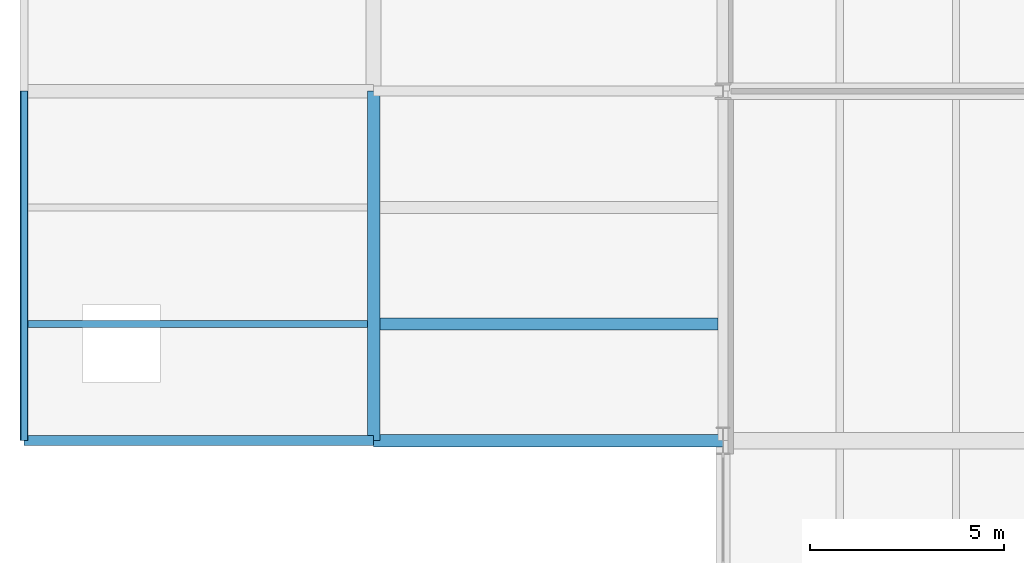
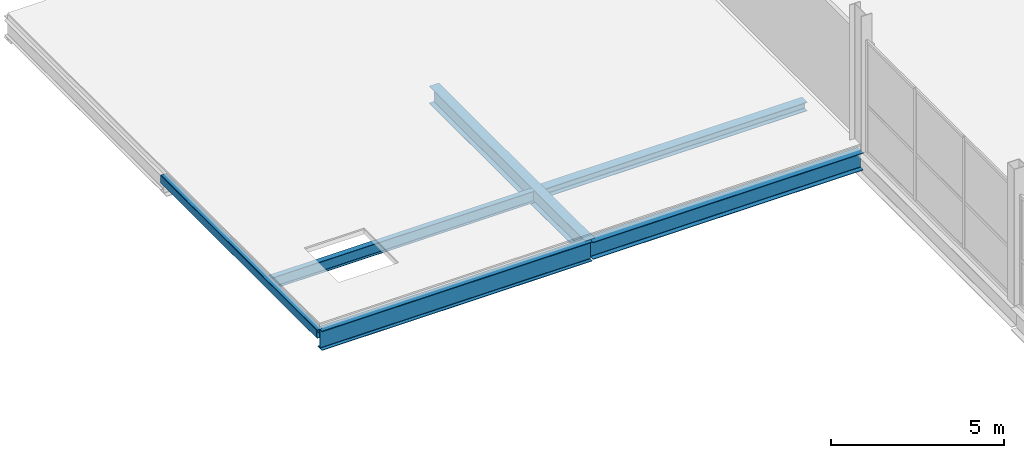
# One storey, part 7 of 50: 6 beams.
"""IFC4 building model written with IfcOpenShell, lengths in metres."""

from ifc_helpers import new_model, si_unit, direction, frame, origin, origin_2d, place, context, subcontext, project, spatial, hollow_rectangle, i_section, extrude, material, material_profile, profile_set, type_object, element, save


model = new_model("IFC4")

# Units and contexts
model_context = context("Model", 3, precision=1e-05, world=origin(), true_north=direction((0.0, 1.0)))
body_context = subcontext(model_context, "Body", "Model", "MODEL_VIEW")
ifc_project = project(units=[si_unit("LENGTHUNIT", "METRE"), si_unit("AREAUNIT", "SQUARE_METRE"), si_unit("VOLUMEUNIT", "CUBIC_METRE"), si_unit("PLANEANGLEUNIT", "RADIAN"), si_unit("MASSUNIT", "GRAM", prefix="KILO")], contexts=[model_context])

# Site, building, storey
site_placement = place(None, origin())
site = spatial("IfcSite", under=ifc_project, at=site_placement, CompositionType="ELEMENT")
building_placement = place(site_placement, origin())
building = spatial("IfcBuilding", under=site, at=building_placement, Name="Qamarlyn Nura Convention Centre", CompositionType="ELEMENT")
storey_placement = place(building_placement, frame((0.0, 0.0, 20.39990234375)))
storey = spatial("IfcBuildingStorey", under=building, at=storey_placement, Name="L04", CompositionType="ELEMENT", Elevation=20.39990234375)

# Beams
ifc_material_1 = material(Name="Steel ASTM A992", Category="steel")
ifc_material_profile_1 = material_profile(ifc_material_1, i_section(OverallWidth=0.323974609375, OverallDepth=0.611083984375, WebThickness=0.0126953125, FlangeThickness=0.01904296875, FilletRadius=0.01611328125, at=origin_2d()), Name="W610X155")
ifc_profile_set_1 = profile_set([ifc_material_profile_1], Name="Steel ASTM A992")
beam_type_1 = type_object("IfcBeamType", Name="BM-GIRD-610", PredefinedType="BEAM", material=ifc_profile_set_1)
for number, where, z_axis, x_axis, name in (
    (1, (144.0, 27.0, -0.46533203125), (1.0, 0.0, 0.0), (0.0, 1.0, 0.0), "L04 girder D 12-13"),
    (2, (144.0, 27.0, -0.46533203125), (0.0, 1.0, 0.0), (-1.0, 0.0, 0.0), "L04 girder 12 D-E"),
):
    element("IfcBeam", number, at=place(storey_placement, frame(where, z_axis=z_axis, x_axis=x_axis)), inside=storey, type_object=beam_type_1, Name=name, PredefinedType="BEAM", context=body_context, shape_type="SweptSolid", body=[
        extrude(i_section(OverallWidth=0.323974609375, OverallDepth=0.611083984375, WebThickness=0.0126953125, FlangeThickness=0.01904296875, FilletRadius=0.01611328125, at=origin_2d()), origin(), (0.0, 0.0, 1.0), 9.0),
    ])
ifc_material_profile_2 = material_profile(ifc_material_1, i_section(OverallWidth=0.25390625, OverallDepth=0.68408203125, WebThickness=0.012451171875, FlangeThickness=0.01904296875, FilletRadius=0.01806640625, at=origin_2d()), Name="W690X140")
ifc_profile_set_2 = profile_set([ifc_material_profile_2], Name="Steel ASTM A992")
beam_type_2 = type_object("IfcBeamType", Name="BM-GIRD-690B", PredefinedType="BEAM", material=ifc_profile_set_2)
beam_1_placement = place(storey_placement, frame((135.0, 27.0, -0.501953125), z_axis=(1.0, 0.0, 0.0), x_axis=(0.0, 1.0, 0.0)))
element("IfcBeam", 3, at=beam_1_placement, inside=storey, type_object=beam_type_2, Name="L04 girder D 11-12", PredefinedType="BEAM", context=body_context, shape_type="SweptSolid", body=[
    extrude(i_section(OverallWidth=0.25390625, OverallDepth=0.68408203125, WebThickness=0.012451171875, FlangeThickness=0.01904296875, FilletRadius=0.01806640625, at=origin_2d()), origin(), (0.0, 0.0, 1.0), 9.0),
])
ifc_material_profile_3 = material_profile(ifc_material_1, i_section(OverallWidth=0.304931640625, OverallDepth=0.30810546875, WebThickness=0.010009765625, FlangeThickness=0.015380859375, FilletRadius=0.014892578125, at=origin_2d()), Name="W310X97")
ifc_profile_set_3 = profile_set([ifc_material_profile_3], Name="Steel ASTM A992")
beam_type_3 = type_object("IfcBeamType", Name="BM-JOIST-310", PredefinedType="JOIST", material=ifc_profile_set_3)
beam_2_placement = place(storey_placement, frame((144.162109375, 30.0, -0.31396484375), z_axis=(1.0, 0.0, 0.0), x_axis=(0.0, 1.0, 0.0)))
element("IfcBeam", 4, at=beam_2_placement, inside=storey, type_object=beam_type_3, Name="L04 composite joist 12-13/D+1", PredefinedType="JOIST", context=body_context, shape_type="SweptSolid", body=[
    extrude(i_section(OverallWidth=0.304931640625, OverallDepth=0.30810546875, WebThickness=0.010009765625, FlangeThickness=0.015380859375, FilletRadius=0.014892578125, at=origin_2d()), origin(), (0.0, 0.0, 1.0), 8.7109375),
])
ifc_material_profile_4 = material_profile(ifc_material_1, i_section(OverallWidth=0.177978515625, OverallDepth=0.406982421875, WebThickness=0.0078125, FlangeThickness=0.0126953125, FilletRadius=0.011962890625, at=origin_2d()), Name="W410X60")
ifc_profile_set_4 = profile_set([ifc_material_profile_4], Name="Steel ASTM A992")
beam_type_4 = type_object("IfcBeamType", Name="BM-JOIST-410", PredefinedType="JOIST", material=ifc_profile_set_4)
beam_3_placement = place(storey_placement, frame((135.10009765625, 30.0, -0.36328125), z_axis=(1.0, 0.0, 0.0), x_axis=(0.0, 1.0, 0.0)))
element("IfcBeam", 5, at=beam_3_placement, inside=storey, type_object=beam_type_4, Name="L04 composite joist 11-12/D+1", PredefinedType="JOIST", context=body_context, shape_type="SweptSolid", body=[
    extrude(i_section(OverallWidth=0.177978515625, OverallDepth=0.406982421875, WebThickness=0.0078125, FlangeThickness=0.0126953125, FilletRadius=0.011962890625, at=origin_2d()), origin(), (0.0, 0.0, 1.0), 8.73779296875),
])
ifc_material_2 = material(Name="Steel ASTM A500 Grade C", Category="steel")
ifc_material_profile_5 = material_profile(ifc_material_2, hollow_rectangle(XDim=0.199951171875, YDim=0.300048828125, WallThickness=0.012451171875, InnerFilletRadius=0.012451171875, OuterFilletRadius=0.02490234375, at=origin_2d()), Name="HSS300X200X12.5")
ifc_profile_set_5 = profile_set([ifc_material_profile_5], Name="Steel ASTM A500 Grade C")
beam_type_5 = type_object("IfcBeamType", Name="BM-SPAN-HSS", PredefinedType="SPANDREL", material=ifc_profile_set_5)
beam_4_placement = place(storey_placement, frame((135.0, 27.0, -0.309814453125), z_axis=(0.0, 1.0, 0.0), x_axis=(-1.0, 0.0, 0.0)))
element("IfcBeam", 6, at=beam_4_placement, inside=storey, type_object=beam_type_5, Name="L04 girder 11 D-E", PredefinedType="SPANDREL", context=body_context, shape_type="SweptSolid", body=[
    extrude(hollow_rectangle(XDim=0.199951171875, YDim=0.300048828125, WallThickness=0.012451171875, InnerFilletRadius=0.012451171875, OuterFilletRadius=0.02490234375, at=origin_2d()), origin(), (0.0, 0.0, 1.0), 9.0),
])

save(model, "model.ifc")
